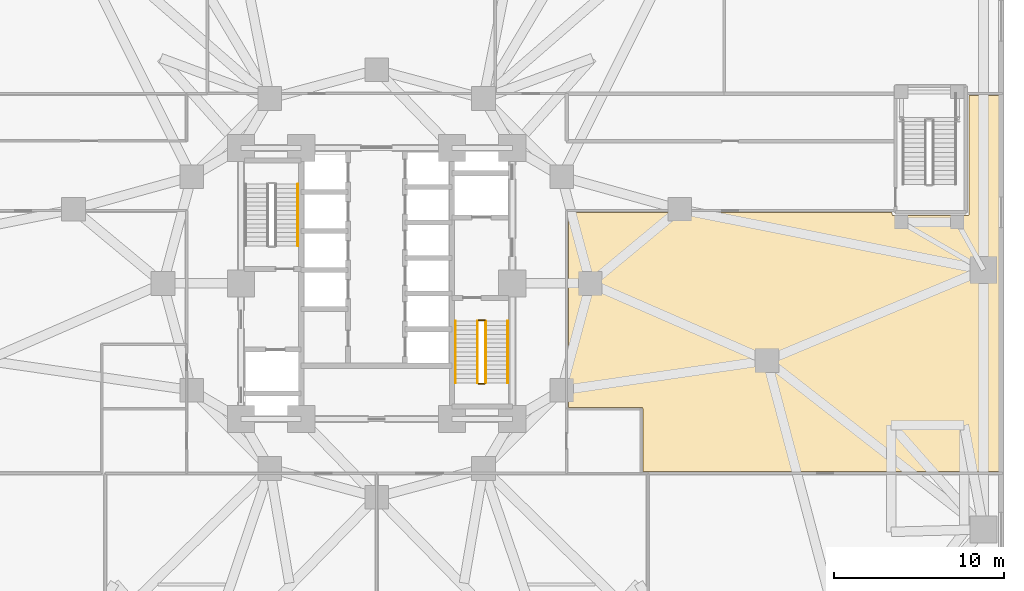
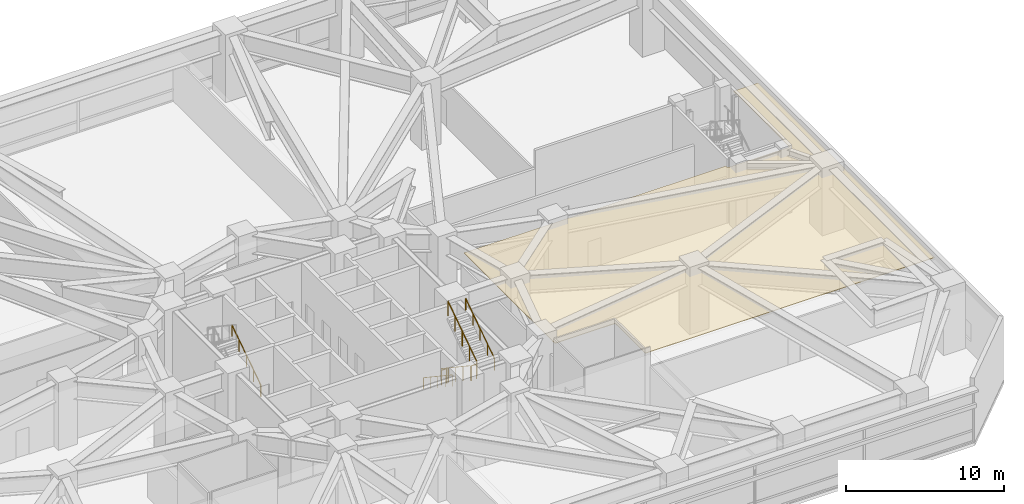
# One storey, part 24 of 27: 7 railings, 1 covering.
"""IFC4 building model written with IfcOpenShell, lengths in metres."""

from ifc_helpers import new_model, si_unit, direction, frame, origin, origin_2d, place, context, subcontext, project, spatial, polyline, circle, outline, extrude, material, layer, layer_set, type_object, element, save


model = new_model("IFC4")

# Units and contexts
model_context = context("Model", 3, precision=1e-05, world=origin(), true_north=direction((0.0, 1.0)))
body_context = subcontext(model_context, "Body", "Model", "MODEL_VIEW")
ifc_project = project(units=[si_unit("LENGTHUNIT", "METRE"), si_unit("AREAUNIT", "SQUARE_METRE"), si_unit("VOLUMEUNIT", "CUBIC_METRE"), si_unit("PLANEANGLEUNIT", "RADIAN"), si_unit("MASSUNIT", "GRAM", prefix="KILO")], contexts=[model_context])

# Site, building, storey
site_placement = place(None, origin())
site = spatial("IfcSite", under=ifc_project, at=site_placement, CompositionType="ELEMENT")
building_placement = place(site_placement, origin())
building = spatial("IfcBuilding", under=site, at=building_placement, Name="Terralouvre Media Tower", CompositionType="ELEMENT")
storey_placement = place(building_placement, frame((0.0, 0.0, 20.800048828125)))
storey = spatial("IfcBuildingStorey", under=building, at=storey_placement, Name="L04", CompositionType="ELEMENT", Elevation=20.800048828125)

# Covering
ifc_material_1 = material(Name="Perforated aluminium acoustic ceiling baffle", Category="aluminium")
ifc_layer_1 = layer(ifc_material_1, 0.0400390625, Name="Perforated Acoustic Metal Tile Ceiling CL-AC1")
ifc_layer_set_1 = layer_set([ifc_layer_1], Name="Perforated aluminium acoustic ceiling baffle")
covering_type = type_object("IfcCoveringType", Name="Perforated Acoustic Metal Tile Ceiling CL-AC1", PredefinedType="CEILING", material=ifc_layer_set_1)
covering_placement = place(storey_placement, frame((0.0, 0.0, 4.419921875)))
element("IfcCovering", 1, at=covering_placement, inside=storey, type_object=covering_type, Name="L04 L04 Broadcast First Aid Office 6 Acoustic Ceiling", PredefinedType="CEILING", context=body_context, shape_type="SweptSolid", body=[
    extrude(outline(polyline([(34.949951171875, 4.10009765625), (34.949462890625, 4.090087890625), (34.947998046875, 4.08056640625), (34.94580078125, 4.071044921875), (34.9423828125, 4.061767578125), (34.938232421875, 4.052978515625), (34.93310546875, 4.04443359375), (34.92724609375, 4.03662109375), (34.920654296875, 4.029296875), (34.913330078125, 4.022705078125), (34.905517578125, 4.016845703125), (34.897216796875, 4.01171875), (34.88818359375, 4.007568359375), (34.87890625, 4.00439453125), (34.869384765625, 4.001953125), (34.85986328125, 4.00048828125), (34.85009765625, 4.0), (30.5, 4.0), (30.490234375, 4.00048828125), (30.48046875, 4.001953125), (30.470947265625, 4.00439453125), (30.461669921875, 4.007568359375), (30.452880859375, 4.01171875), (30.4443359375, 4.016845703125), (30.4365234375, 4.022705078125), (30.42919921875, 4.029296875), (30.422607421875, 4.03662109375), (30.4169921875, 4.04443359375), (30.411865234375, 4.052978515625), (30.40771484375, 4.061767578125), (30.404296875, 4.071044921875), (30.40185546875, 4.08056640625), (30.400390625, 4.090087890625), (30.39990234375, 4.10009765625), (30.39990234375, 4.199951171875), (11.300048828125, 4.199951171875), (11.300048828125, -7.300048828125), (15.60009765625, -7.300048828125), (15.60986328125, -7.300537109375), (15.619384765625, -7.302001953125), (15.62890625, -7.30419921875), (15.63818359375, -7.3076171875), (15.647216796875, -7.311767578125), (15.655517578125, -7.31689453125), (15.663330078125, -7.32275390625), (15.670654296875, -7.329345703125), (15.67724609375, -7.336669921875), (15.68310546875, -7.344482421875), (15.688232421875, -7.352783203125), (15.6923828125, -7.36181640625), (15.69580078125, -7.37109375), (15.697998046875, -7.380615234375), (15.699462890625, -7.39013671875), (15.699951171875, -7.39990234375), (15.699951171875, -11.10009765625), (36.780029296875, -11.10009765625), (36.780029296875, 11.10009765625), (34.949951171875, 11.10009765625), (34.949951171875, 4.10009765625)])), origin(), (0.0, 0.0, 1.0), 0.0400390625),
])

# Railings
ifc_material_2 = material(Name="Stainless steel 316 handrail and balustrade", Category="steel")
ifc_layer_2 = layer(ifc_material_2, 0.050048828125, Name="Stair Flight Wall Handrail HR-INT1")
ifc_layer_set_2 = layer_set([ifc_layer_2], Name="Stainless steel 316 handrail and balustrade")
railing_type_1 = type_object("IfcRailingType", Name="Stair Flight Wall Handrail HR-INT1", PredefinedType="HANDRAIL", material=ifc_layer_set_2)
railing_1_placement = place(storey_placement, frame((-4.64990234375, 2.219970703125, 0.17333984375)))
element("IfcRailing", 2, at=railing_1_placement, inside=storey, type_object=railing_type_1, Name="L04 ST-01 stair handrail 1", PredefinedType="HANDRAIL", context=body_context, shape_type="SweptSolid", body=[
    extrude(circle(Radius=0.02392578125, at=origin_2d()), frame((0.0, 0.0, 0.8759765625), z_axis=(0.0, 0.832076050322, 0.554661560305), x_axis=(-1.0, 0.0, 0.0)), (0.0, 0.0, 1.0), 4.374755859375),
    extrude(circle(Radius=0.02099609375, at=origin_2d()), origin(), (0.0, 0.0, 1.0), 0.851806640625),
    extrude(circle(Radius=0.02099609375, at=origin_2d()), frame((0.0, 0.91015625, 0.606689453125)), (0.0, 0.0, 1.0), 0.851806640625),
    extrude(circle(Radius=0.02099609375, at=origin_2d()), frame((0.0, 1.820068359375, 1.21337890625)), (0.0, 0.0, 1.0), 0.851806640625),
    extrude(circle(Radius=0.02099609375, at=origin_2d()), frame((0.0, 2.72998046875, 1.81982421875)), (0.0, 0.0, 1.0), 0.851806640625),
    extrude(circle(Radius=0.02099609375, at=origin_2d()), frame((0.0, 3.64013671875, 2.426513671875)), (0.0, 0.0, 1.0), 0.851806640625),
])
railing_2_placement = place(storey_placement, frame((4.64990234375, -2.219970703125, 0.17333984375)))
element("IfcRailing", 3, at=railing_2_placement, inside=storey, type_object=railing_type_1, Name="L04 ST-02 stair handrail 1", PredefinedType="HANDRAIL", context=body_context, shape_type="SweptSolid", body=[
    extrude(circle(Radius=0.02392578125, at=origin_2d()), frame((0.0, 0.0, 0.8759765625), z_axis=(0.0, -0.832076050322, 0.554661560305), x_axis=(1.0, 0.0, 0.0)), (0.0, 0.0, 1.0), 4.374755859375),
    extrude(circle(Radius=0.02099609375, at=origin_2d()), origin(), (0.0, 0.0, 1.0), 0.851806640625),
    extrude(circle(Radius=0.02099609375, at=origin_2d()), frame((0.0, -0.91015625, 0.606689453125)), (0.0, 0.0, 1.0), 0.851806640625),
    extrude(circle(Radius=0.02099609375, at=origin_2d()), frame((0.0, -1.820068359375, 1.21337890625)), (0.0, 0.0, 1.0), 0.851806640625),
    extrude(circle(Radius=0.02099609375, at=origin_2d()), frame((0.0, -2.72998046875, 1.81982421875)), (0.0, 0.0, 1.0), 0.851806640625),
    extrude(circle(Radius=0.02099609375, at=origin_2d()), frame((0.0, -3.64013671875, 2.426513671875)), (0.0, 0.0, 1.0), 0.851806640625),
])
railing_3_placement = place(storey_placement, frame((7.72998046875, -5.860107421875, 2.773193359375)))
element("IfcRailing", 4, at=railing_3_placement, inside=storey, type_object=railing_type_1, Name="L04 ST-02 stair handrail 2", PredefinedType="HANDRAIL", context=body_context, shape_type="SweptSolid", body=[
    extrude(circle(Radius=0.02392578125, at=origin_2d()), frame((0.0, 0.0, 0.8759765625), z_axis=(0.0, 0.832050294338, 0.554700196225), x_axis=(-1.0, 0.0, 0.0)), (0.0, 0.0, 1.0), 4.375),
    extrude(circle(Radius=0.02099609375, at=origin_2d()), origin(), (0.0, 0.0, 1.0), 0.851806640625),
    extrude(circle(Radius=0.02099609375, at=origin_2d()), frame((0.0, 0.91015625, 0.606689453125)), (0.0, 0.0, 1.0), 0.851806640625),
    extrude(circle(Radius=0.02099609375, at=origin_2d()), frame((0.0, 1.820068359375, 1.21337890625)), (0.0, 0.0, 1.0), 0.851806640625),
    extrude(circle(Radius=0.02099609375, at=origin_2d()), frame((0.0, 2.72998046875, 1.820068359375)), (0.0, 0.0, 1.0), 0.851806640625),
    extrude(circle(Radius=0.02099609375, at=origin_2d()), frame((0.0, 3.64013671875, 2.4267578125)), (0.0, 0.0, 1.0), 0.851806640625),
])
ifc_material_3 = material(Name="Stainless steel 316 handrail and balustrade", Category="steel")
ifc_layer_3 = layer(ifc_material_3, 0.050048828125, Name="Stairwell Safety Guardrail GR-INT1")
ifc_layer_set_3 = layer_set([ifc_layer_3], Name="Stainless steel 316 handrail and balustrade")
railing_type_2 = type_object("IfcRailingType", Name="Stairwell Safety Guardrail GR-INT1", PredefinedType="GUARDRAIL", material=ifc_layer_set_3)
railing_4_placement = place(storey_placement, frame((5.949951171875, -2.219970703125, 0.17333984375)))
element("IfcRailing", 5, at=railing_4_placement, inside=storey, type_object=railing_type_2, Name="L04 ST-02 stair guard 1", PredefinedType="GUARDRAIL", context=body_context, shape_type="SweptSolid", body=[
    extrude(circle(Radius=0.02392578125, at=origin_2d()), frame((0.0, 0.0, 1.1259765625), z_axis=(0.0, -0.832076050322, 0.554661560305), x_axis=(1.0, 0.0, 0.0)), (0.0, 0.0, 1.0), 4.374755859375),
    extrude(circle(Radius=0.02099609375, at=origin_2d()), origin(), (0.0, 0.0, 1.0), 1.101806640625),
    extrude(circle(Radius=0.02099609375, at=origin_2d()), frame((0.0, -0.91015625, 0.606689453125)), (0.0, 0.0, 1.0), 1.101806640625),
    extrude(circle(Radius=0.02099609375, at=origin_2d()), frame((0.0, -1.820068359375, 1.21337890625)), (0.0, 0.0, 1.0), 1.101806640625),
    extrude(circle(Radius=0.02099609375, at=origin_2d()), frame((0.0, -2.72998046875, 1.81982421875)), (0.0, 0.0, 1.0), 1.101806640625),
    extrude(circle(Radius=0.02099609375, at=origin_2d()), frame((0.0, -3.64013671875, 2.426513671875)), (0.0, 0.0, 1.0), 1.101806640625),
])
railing_5_placement = place(storey_placement, frame((6.0, -5.909912109375, 2.599853515625)))
element("IfcRailing", 6, at=railing_5_placement, inside=storey, type_object=railing_type_2, Name="L04 ST-02 stair guard 2", PredefinedType="GUARDRAIL", context=body_context, shape_type="SweptSolid", body=[
    extrude(circle(Radius=0.02392578125, at=origin_2d()), frame((0.0, 0.0, 1.1259765625), z_axis=(1.0, 0.0, 0.0), x_axis=(0.0, 1.0, 0.0)), (0.0, 0.0, 1.0), 0.3798828125),
    extrude(circle(Radius=0.02099609375, at=origin_2d()), origin(), (0.0, 0.0, 1.0), 1.101806640625),
    extrude(circle(Radius=0.02099609375, at=origin_2d()), frame((0.3798828125, 0.0, 0.0)), (0.0, 0.0, 1.0), 1.101806640625),
])
railing_6_placement = place(storey_placement, frame((6.429931640625, -5.860107421875, 2.773193359375)))
element("IfcRailing", 7, at=railing_6_placement, inside=storey, type_object=railing_type_2, Name="L04 ST-02 stair guard 3", PredefinedType="GUARDRAIL", context=body_context, shape_type="SweptSolid", body=[
    extrude(circle(Radius=0.02392578125, at=origin_2d()), frame((0.0, 0.0, 1.1259765625), z_axis=(0.0, 0.832050294338, 0.554700196225), x_axis=(-1.0, 0.0, 0.0)), (0.0, 0.0, 1.0), 4.375),
    extrude(circle(Radius=0.02099609375, at=origin_2d()), origin(), (0.0, 0.0, 1.0), 1.101806640625),
    extrude(circle(Radius=0.02099609375, at=origin_2d()), frame((0.0, 0.91015625, 0.606689453125)), (0.0, 0.0, 1.0), 1.101806640625),
    extrude(circle(Radius=0.02099609375, at=origin_2d()), frame((0.0, 1.820068359375, 1.21337890625)), (0.0, 0.0, 1.0), 1.101806640625),
    extrude(circle(Radius=0.02099609375, at=origin_2d()), frame((0.0, 2.72998046875, 1.820068359375)), (0.0, 0.0, 1.0), 1.101806640625),
    extrude(circle(Radius=0.02099609375, at=origin_2d()), frame((0.0, 3.64013671875, 2.4267578125)), (0.0, 0.0, 1.0), 1.101806640625),
])
railing_7_placement = place(storey_placement, frame((6.0, -2.169921875, 0.0)))
element("IfcRailing", 8, at=railing_7_placement, inside=storey, type_object=railing_type_2, Name="L04 ST-02 stair guard 4", PredefinedType="GUARDRAIL", context=body_context, shape_type="SweptSolid", body=[
    extrude(circle(Radius=0.02392578125, at=origin_2d()), frame((0.0, 0.0, 1.1259765625), z_axis=(1.0, 0.0, 0.0), x_axis=(0.0, 1.0, 0.0)), (0.0, 0.0, 1.0), 0.3798828125),
    extrude(circle(Radius=0.02099609375, at=origin_2d()), origin(), (0.0, 0.0, 1.0), 1.101806640625),
    extrude(circle(Radius=0.02099609375, at=origin_2d()), frame((0.3798828125, 0.0, 0.0)), (0.0, 0.0, 1.0), 1.101806640625),
])

save(model, "model.ifc")
